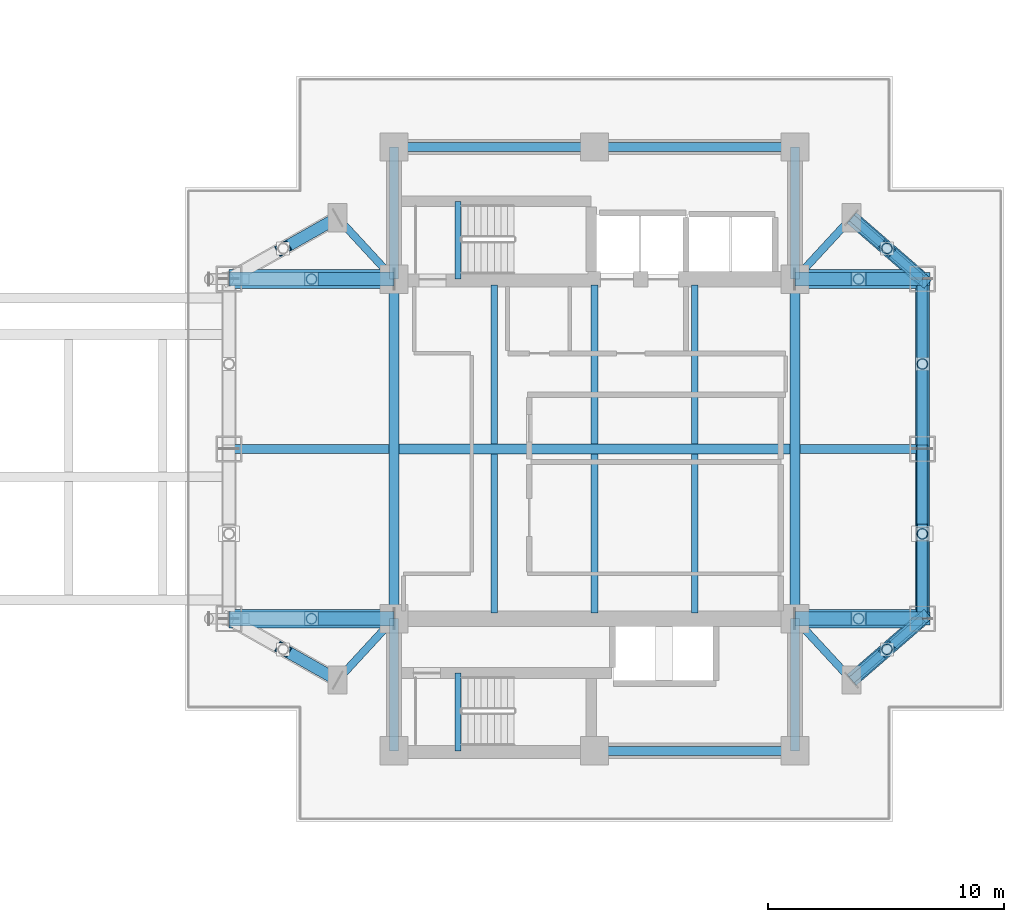
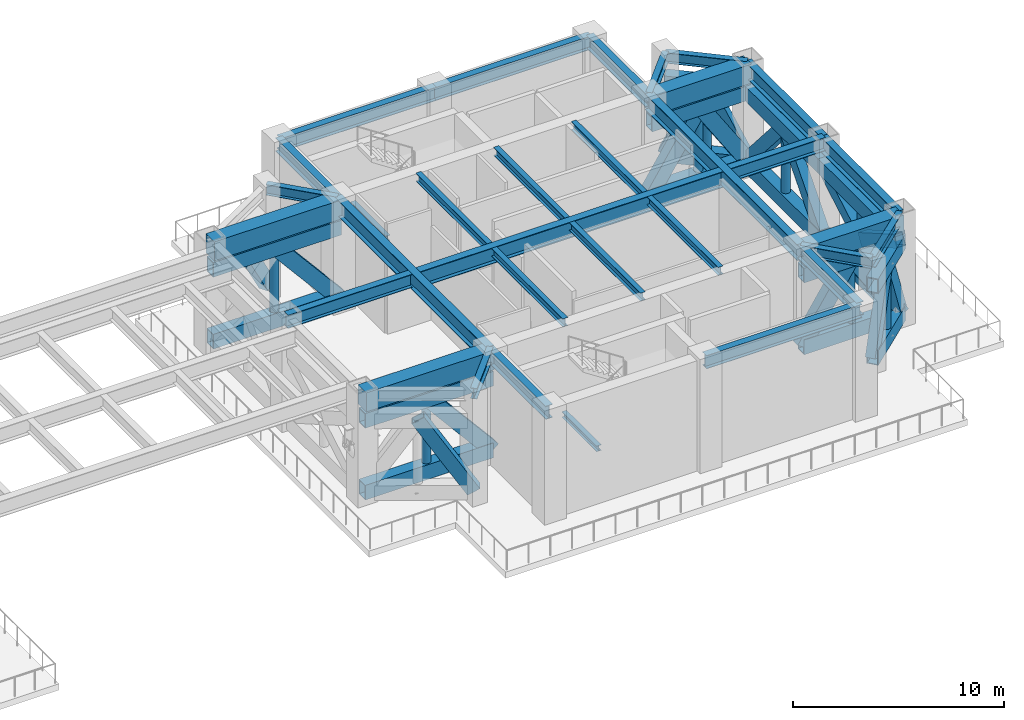
# One storey, part 5 of 21: 41 members, 32 beams.
"""IFC4 building model written with IfcOpenShell, lengths in metres."""

from ifc_helpers import new_model, si_unit, direction, frame, origin, origin_2d, place, context, subcontext, project, spatial, rectangle, hollow_rectangle, hollow_circle, i_section, extrude, material, material_profile, profile_set, type_object, element, save


model = new_model("IFC4")

# Units and contexts
model_context = context("Model", 3, precision=1e-05, world=origin(), true_north=direction((0.0, 1.0)))
body_context = subcontext(model_context, "Body", "Model", "MODEL_VIEW")
ifc_project = project(units=[si_unit("LENGTHUNIT", "METRE"), si_unit("AREAUNIT", "SQUARE_METRE"), si_unit("VOLUMEUNIT", "CUBIC_METRE"), si_unit("PLANEANGLEUNIT", "RADIAN"), si_unit("MASSUNIT", "GRAM", prefix="KILO")], contexts=[model_context])

# Site, building, storey
site_placement = place(None, origin())
site = spatial("IfcSite", under=ifc_project, at=site_placement, CompositionType="ELEMENT")
building_placement = place(site_placement, origin())
building = spatial("IfcBuilding", under=site, at=building_placement, Name="Mirazonda Arch Towers", CompositionType="ELEMENT")
storey_placement = place(building_placement, frame((0.0, 0.0, 81.800048828125)))
storey = spatial("IfcBuildingStorey", under=building, at=storey_placement, Name="L23", CompositionType="ELEMENT", Elevation=81.800048828125)

# Beams
ifc_material_1 = material(Name="Steel ASTM A992 Grade 50", Category="steel")
ifc_material_profile_1 = material_profile(ifc_material_1, i_section(OverallWidth=0.39990234375, OverallDepth=0.85595703125, WebThickness=0.018310546875, FlangeThickness=0.029296875, at=origin_2d()), Name="W33X201")
ifc_profile_set_1 = profile_set([ifc_material_profile_1], Name="Steel ASTM A992 Grade 50")
beam_type_1 = type_object("IfcBeamType", Name="BM-EXT-W33X201", PredefinedType="USERDEFINED", material=ifc_profile_set_1)
for number, where, z_axis, x_axis, name in (
    (1, (90.39990234375, 20.800048828125, 5.951904296875), (0.0, 1.0, 0.0), (-1.0, 0.0, 0.0), "L23 Floor Beam BM-T2-L23-NS-E-20"),
    (2, (90.39990234375, 28.0, 5.951904296875), (0.0, 1.0, 0.0), (-1.0, 0.0, 0.0), "L23 Floor Beam BM-T2-L23-NS-E-28"),
):
    element("IfcBeam", number, at=place(storey_placement, frame(where, z_axis=z_axis, x_axis=x_axis)), inside=storey, type_object=beam_type_1, Name=name, ObjectType="GIRDER", PredefinedType="USERDEFINED", context=body_context, shape_type="SweptSolid", body=[
        extrude(i_section(OverallWidth=0.39990234375, OverallDepth=0.85595703125, WebThickness=0.018310546875, FlangeThickness=0.029296875, at=origin_2d()), origin(), (0.0, 0.0, 1.0), 7.199951171875),
    ])
ifc_material_profile_2 = material_profile(ifc_material_1, i_section(OverallWidth=0.257080078125, OverallDepth=0.330078125, WebThickness=0.011962890625, FlangeThickness=0.01953125, at=origin_2d()), Name="W10X68")
ifc_profile_set_2 = profile_set([ifc_material_profile_2], Name="Steel ASTM A992 Grade 50")
beam_type_2 = type_object("IfcBeamType", Name="BM-INT-W10X68", PredefinedType="BEAM", material=ifc_profile_set_2)
for number, where, z_axis, x_axis, name in (
    (3, (70.719970703125, 35.199951171875, 2.93505859375), (0.0, 1.0, 0.0), (-1.0, 0.0, 0.0), "L23 ST-T2N Landing Trimmer Beam"),
    (4, (70.719970703125, 15.199951171875, 2.93505859375), (0.0, 1.0, 0.0), (-1.0, 0.0, 0.0), "L23 ST-T2S Landing Trimmer Beam"),
):
    element("IfcBeam", number, at=place(storey_placement, frame(where, z_axis=z_axis, x_axis=x_axis)), inside=storey, type_object=beam_type_2, Name=name, PredefinedType="BEAM", context=body_context, shape_type="SweptSolid", body=[
        extrude(i_section(OverallWidth=0.257080078125, OverallDepth=0.330078125, WebThickness=0.011962890625, FlangeThickness=0.01953125, at=origin_2d()), origin(), (0.0, 0.0, 1.0), 3.300048828125),
    ])
ifc_material_profile_3 = material_profile(ifc_material_1, i_section(OverallWidth=0.280029296875, OverallDepth=0.462890625, WebThickness=0.0107421875, FlangeThickness=0.017333984375, at=origin_2d()), Name="W18X76")
ifc_profile_set_3 = profile_set([ifc_material_profile_3], Name="Steel ASTM A992 Grade 50")
beam_type_3 = type_object("IfcBeamType", Name="BM-INT-W18X76", PredefinedType="JOIST", material=ifc_profile_set_3)
for number, where, z_axis, x_axis, name in (
    (5, (72.25, 21.0400390625, 6.1484375), (0.0, 1.0, 0.0), (-1.0, 0.0, 0.0), "L23 Floor Beam BM-T2-L23-J-722-20"),
    (6, (72.25, 28.205078125, 6.1484375), (0.0, 1.0, 0.0), (-1.0, 0.0, 0.0), "L23 Floor Beam BM-T2-L23-J-722-28"),
    (7, (76.5, 21.0400390625, 6.1484375), (0.0, 1.0, 0.0), (-1.0, 0.0, 0.0), "L23 Floor Beam BM-T2-L23-J-765-20"),
    (8, (76.5, 28.205078125, 6.1484375), (0.0, 1.0, 0.0), (-1.0, 0.0, 0.0), "L23 Floor Beam BM-T2-L23-J-765-28"),
    (9, (80.75, 21.0400390625, 6.1484375), (0.0, 1.0, 0.0), (-1.0, 0.0, 0.0), "L23 Floor Beam BM-T2-L23-J-807-20"),
    (10, (80.75, 28.205078125, 6.1484375), (0.0, 1.0, 0.0), (-1.0, 0.0, 0.0), "L23 Floor Beam BM-T2-L23-J-807-28"),
):
    element("IfcBeam", number, at=place(storey_placement, frame(where, z_axis=z_axis, x_axis=x_axis)), inside=storey, type_object=beam_type_3, Name=name, PredefinedType="JOIST", context=body_context, shape_type="SweptSolid", body=[
        extrude(i_section(OverallWidth=0.280029296875, OverallDepth=0.462890625, WebThickness=0.0107421875, FlangeThickness=0.017333984375, at=origin_2d()), origin(), (0.0, 0.0, 1.0), 6.7548828125),
    ])
ifc_material_profile_4 = material_profile(ifc_material_1, i_section(OverallWidth=0.324951171875, OverallDepth=0.615966796875, WebThickness=0.013916015625, FlangeThickness=0.021484375, at=origin_2d()), Name="W24X117")
ifc_profile_set_4 = profile_set([ifc_material_profile_4], Name="Steel ASTM A992 Grade 50")
beam_type_4 = type_object("IfcBeamType", Name="BM-INT-W24X117", PredefinedType="BEAM", material=ifc_profile_set_4)
for number, where, z_axis, x_axis, name in (
    (11, (65.60009765625, 18.199951171875, 6.072021484375), (0.678251444854, 0.734829897019, 0.0), (-0.734829897019, 0.678251444854, 0.0), "L23 Floor Beam BM-T2-L23-PL-SW1"),
    (12, (87.39990234375, 18.199951171875, 6.072021484375), (-0.678251444854, 0.734829897019, 0.0), (-0.734829897019, -0.678251444854, 0.0), "L23 Floor Beam BM-T2-L23-PL-SE1"),
):
    element("IfcBeam", number, at=place(storey_placement, frame(where, z_axis=z_axis, x_axis=x_axis)), inside=storey, type_object=beam_type_4, Name=name, PredefinedType="BEAM", context=body_context, shape_type="SweptSolid", body=[
        extrude(i_section(OverallWidth=0.324951171875, OverallDepth=0.615966796875, WebThickness=0.013916015625, FlangeThickness=0.021484375, at=origin_2d()), origin(), (0.0, 0.0, 1.0), 3.538330078125),
    ])
beam_1_placement = place(storey_placement, frame((87.39990234375, 18.199951171875, 6.072021484375), z_axis=(0.755676908098, 0.654944585876, 0.0), x_axis=(-0.654944585876, 0.755676908098, 0.0)))
element("IfcBeam", 13, at=beam_1_placement, inside=storey, type_object=beam_type_4, Name="L23 Floor Beam BM-T2-L23-PL-SE2", PredefinedType="BEAM", context=body_context, shape_type="SweptSolid", body=[
    extrude(i_section(OverallWidth=0.324951171875, OverallDepth=0.615966796875, WebThickness=0.013916015625, FlangeThickness=0.021484375, at=origin_2d()), origin(), (0.0, 0.0, 1.0), 3.969970703125),
])
for number, where, z_axis, x_axis, name in (
    (14, (65.60009765625, 37.800048828125, 6.072021484375), (0.678251444854, -0.734829897019, 0.0), (0.734829897019, 0.678251444854, 0.0), "L23 Floor Beam BM-T2-L23-PL-NW1"),
    (15, (87.39990234375, 37.800048828125, 6.072021484375), (-0.678251444854, -0.734829897019, 0.0), (0.734829897019, -0.678251444854, 0.0), "L23 Floor Beam BM-T2-L23-PL-NE1"),
):
    element("IfcBeam", number, at=place(storey_placement, frame(where, z_axis=z_axis, x_axis=x_axis)), inside=storey, type_object=beam_type_4, Name=name, PredefinedType="BEAM", context=body_context, shape_type="SweptSolid", body=[
        extrude(i_section(OverallWidth=0.324951171875, OverallDepth=0.615966796875, WebThickness=0.013916015625, FlangeThickness=0.021484375, at=origin_2d()), origin(), (0.0, 0.0, 1.0), 3.538330078125),
    ])
beam_2_placement = place(storey_placement, frame((87.39990234375, 37.800048828125, 6.072021484375), z_axis=(0.755676908098, -0.654944585876, 0.0), x_axis=(0.654944585876, 0.755676908098, 0.0)))
element("IfcBeam", 16, at=beam_2_placement, inside=storey, type_object=beam_type_4, Name="L23 Floor Beam BM-T2-L23-PL-NE2", PredefinedType="BEAM", context=body_context, shape_type="SweptSolid", body=[
    extrude(i_section(OverallWidth=0.324951171875, OverallDepth=0.615966796875, WebThickness=0.013916015625, FlangeThickness=0.021484375, at=origin_2d()), origin(), (0.0, 0.0, 1.0), 3.969970703125),
])
ifc_material_profile_5 = material_profile(ifc_material_1, i_section(OverallWidth=0.381103515625, OverallDepth=0.77294921875, WebThickness=0.0166015625, FlangeThickness=0.027099609375, at=origin_2d()), Name="W30X173")
ifc_profile_set_5 = profile_set([ifc_material_profile_5], Name="Steel ASTM A992 Grade 50")
beam_type_5 = type_object("IfcBeamType", Name="BM-INT-W30X173", PredefinedType="USERDEFINED", material=ifc_profile_set_5)
for number, where, z_axis, x_axis, name in (
    (17, (76.5, 15.199951171875, 5.993408203125), (1.0, 0.0, 0.0), (0.0, 1.0, 0.0), "L23 Floor Beam BM-T2-L23-CS2"),
    (18, (68.0, 40.800048828125, 5.993408203125), (1.0, 0.0, 0.0), (0.0, 1.0, 0.0), "L23 Floor Beam BM-T2-L23-CN1"),
    (19, (76.5, 40.800048828125, 5.993408203125), (1.0, 0.0, 0.0), (0.0, 1.0, 0.0), "L23 Floor Beam BM-T2-L23-CN2"),
):
    element("IfcBeam", number, at=place(storey_placement, frame(where, z_axis=z_axis, x_axis=x_axis)), inside=storey, type_object=beam_type_5, Name=name, ObjectType="GIRDER", PredefinedType="USERDEFINED", context=body_context, shape_type="SweptSolid", body=[
        extrude(i_section(OverallWidth=0.381103515625, OverallDepth=0.77294921875, WebThickness=0.0166015625, FlangeThickness=0.027099609375, at=origin_2d()), origin(), (0.0, 0.0, 1.0), 8.5),
    ])
for number, where, z_axis, x_axis, name in (
    (20, (68.0, 15.199951171875, 5.993408203125), (0.0, 1.0, 0.0), (-1.0, 0.0, 0.0), "L23 Floor Beam BM-T2-L23-CSW"),
    (21, (85.0, 15.199951171875, 5.993408203125), (0.0, 1.0, 0.0), (-1.0, 0.0, 0.0), "L23 Floor Beam BM-T2-L23-CSE"),
    (22, (68.0, 35.199951171875, 5.993408203125), (0.0, 1.0, 0.0), (-1.0, 0.0, 0.0), "L23 Floor Beam BM-T2-L23-CNW"),
    (23, (85.0, 35.199951171875, 5.993408203125), (0.0, 1.0, 0.0), (-1.0, 0.0, 0.0), "L23 Floor Beam BM-T2-L23-CNE"),
):
    element("IfcBeam", number, at=place(storey_placement, frame(where, z_axis=z_axis, x_axis=x_axis)), inside=storey, type_object=beam_type_5, Name=name, ObjectType="GIRDER", PredefinedType="USERDEFINED", context=body_context, shape_type="SweptSolid", body=[
        extrude(i_section(OverallWidth=0.381103515625, OverallDepth=0.77294921875, WebThickness=0.0166015625, FlangeThickness=0.027099609375, at=origin_2d()), origin(), (0.0, 0.0, 1.0), 5.60009765625),
    ])
beam_3_placement = place(storey_placement, frame((61.0, 28.0, 5.993408203125), z_axis=(1.0, 0.0, 0.0), x_axis=(0.0, 1.0, 0.0)))
element("IfcBeam", 24, at=beam_3_placement, inside=storey, type_object=beam_type_5, Name="L23 Floor Beam BM-T2-L23-GW2", ObjectType="GIRDER", PredefinedType="USERDEFINED", context=body_context, shape_type="SweptSolid", body=[
    extrude(i_section(OverallWidth=0.381103515625, OverallDepth=0.77294921875, WebThickness=0.0166015625, FlangeThickness=0.027099609375, at=origin_2d()), origin(), (0.0, 0.0, 1.0), 6.791015625),
])
beam_4_placement = place(storey_placement, frame((85.208984375, 28.0, 5.993408203125), z_axis=(1.0, 0.0, 0.0), x_axis=(0.0, 1.0, 0.0)))
element("IfcBeam", 25, at=beam_4_placement, inside=storey, type_object=beam_type_5, Name="L23 Floor Beam BM-T2-L23-GE2", ObjectType="GIRDER", PredefinedType="USERDEFINED", context=body_context, shape_type="SweptSolid", body=[
    extrude(i_section(OverallWidth=0.381103515625, OverallDepth=0.77294921875, WebThickness=0.0166015625, FlangeThickness=0.027099609375, at=origin_2d()), origin(), (0.0, 0.0, 1.0), 5.19091796875),
])
ifc_material_profile_6 = material_profile(ifc_material_1, i_section(OverallWidth=0.41796875, OverallDepth=0.927001953125, WebThickness=0.019287109375, FlangeThickness=0.031982421875, at=origin_2d()), Name="W36X231")
ifc_profile_set_6 = profile_set([ifc_material_profile_6], Name="Steel ASTM A992 Grade 50")
beam_type_6 = type_object("IfcBeamType", Name="BM-INT-W36X231", PredefinedType="USERDEFINED", material=ifc_profile_set_6)
beam_5_placement = place(storey_placement, frame((68.208984375, 28.0, 5.91650390625), z_axis=(1.0, 0.0, 0.0), x_axis=(0.0, 1.0, 0.0)))
element("IfcBeam", 26, at=beam_5_placement, inside=storey, type_object=beam_type_6, Name="L23 Floor Beam BM-T2-L23-GC2", ObjectType="GIRDER", PredefinedType="USERDEFINED", context=body_context, shape_type="SweptSolid", body=[
    extrude(i_section(OverallWidth=0.41796875, OverallDepth=0.927001953125, WebThickness=0.019287109375, FlangeThickness=0.031982421875, at=origin_2d()), origin(), (0.0, 0.0, 1.0), 16.58203125),
])
for number, where, z_axis, x_axis, name in (
    (27, (68.0, 20.800048828125, 5.91650390625), (0.0, 1.0, 0.0), (-1.0, 0.0, 0.0), "L23 Floor Beam BM-T2-L23-NS-CW-FULL"),
    (28, (85.0, 20.800048828125, 5.91650390625), (0.0, 1.0, 0.0), (-1.0, 0.0, 0.0), "L23 Floor Beam BM-T2-L23-NS-CE-FULL"),
):
    element("IfcBeam", number, at=place(storey_placement, frame(where, z_axis=z_axis, x_axis=x_axis)), inside=storey, type_object=beam_type_6, Name=name, ObjectType="GIRDER", PredefinedType="USERDEFINED", context=body_context, shape_type="SweptSolid", body=[
        extrude(i_section(OverallWidth=0.41796875, OverallDepth=0.927001953125, WebThickness=0.019287109375, FlangeThickness=0.031982421875, at=origin_2d()), origin(), (0.0, 0.0, 1.0), 14.39990234375),
    ])
ifc_material_2 = material(Name="Concrete C60/75", Category="concrete")
ifc_material_profile_7 = material_profile(ifc_material_2, rectangle(XDim=0.800048828125, YDim=1.10009765625, at=origin_2d()), Name="RCCB800x1100")
ifc_profile_set_7 = profile_set([ifc_material_profile_7], Name="Concrete C60/75")
beam_type_7 = type_object("IfcBeamType", Name="CB-INT-RCCB800x1100", PredefinedType="SPANDREL", material=ifc_profile_set_7)
beam_6_placement = place(storey_placement, frame((61.0, 35.199951171875, 5.829833984375), z_axis=(1.0, 0.0, 0.0), x_axis=(0.0, 1.0, 0.0)))
element("IfcBeam", 29, at=beam_6_placement, inside=storey, type_object=beam_type_7, Name="L23 Floor Beam CB-T2-L23-NW", PredefinedType="SPANDREL", context=body_context, shape_type="SweptSolid", body=[
    extrude(rectangle(XDim=0.800048828125, YDim=1.10009765625, at=origin_2d()), origin(), (0.0, 0.0, 1.0), 7.0),
])
beam_7_placement = place(storey_placement, frame((85.0, 35.199951171875, 5.829833984375), z_axis=(1.0, 0.0, 0.0), x_axis=(0.0, 1.0, 0.0)))
element("IfcBeam", 30, at=beam_7_placement, inside=storey, type_object=beam_type_7, Name="L23 Floor Beam CB-T2-L23-NE", PredefinedType="SPANDREL", context=body_context, shape_type="SweptSolid", body=[
    extrude(rectangle(XDim=0.800048828125, YDim=1.10009765625, at=origin_2d()), origin(), (0.0, 0.0, 1.0), 5.39990234375),
])
beam_8_placement = place(storey_placement, frame((61.0, 20.800048828125, 5.829833984375), z_axis=(1.0, 0.0, 0.0), x_axis=(0.0, 1.0, 0.0)))
element("IfcBeam", 31, at=beam_8_placement, inside=storey, type_object=beam_type_7, Name="L23 Floor Beam CB-T2-L23-SW", PredefinedType="SPANDREL", context=body_context, shape_type="SweptSolid", body=[
    extrude(rectangle(XDim=0.800048828125, YDim=1.10009765625, at=origin_2d()), origin(), (0.0, 0.0, 1.0), 7.0),
])
beam_9_placement = place(storey_placement, frame((85.0, 20.800048828125, 5.829833984375), z_axis=(1.0, 0.0, 0.0), x_axis=(0.0, 1.0, 0.0)))
element("IfcBeam", 32, at=beam_9_placement, inside=storey, type_object=beam_type_7, Name="L23 Floor Beam CB-T2-L23-SE", PredefinedType="SPANDREL", context=body_context, shape_type="SweptSolid", body=[
    extrude(rectangle(XDim=0.800048828125, YDim=1.10009765625, at=origin_2d()), origin(), (0.0, 0.0, 1.0), 5.39990234375),
])

# Members
ifc_material_3 = material(Name="Steel ASTM A572 Grade 50", Category="steel")
ifc_material_profile_8 = material_profile(ifc_material_3, hollow_rectangle(XDim=0.60009765625, YDim=0.85009765625, WallThickness=0.048095703125, at=origin_2d()), Name="BELTCHORD850x600x48")
ifc_profile_set_8 = profile_set([ifc_material_profile_8], Name="Steel ASTM A572 Grade 50")
member_type_1 = type_object("IfcMemberType", Name="MBR-EXT-BELTCHORD850x600x48", PredefinedType="CHORD", material=ifc_profile_set_8)
for number, where, z_axis, x_axis, name in (
    (33, (90.39990234375, 20.800048828125, 0.550048828125), (0.0, 1.0, 0.0), (-1.0, 0.0, 0.0), "L23 T2 Wind-Portal Belt Chord BC03"),
    (34, (90.39990234375, 20.800048828125, 4.699951171875), (0.0, 1.0, 0.0), (-1.0, 0.0, 0.0), "L23 T2 Wind-Portal Belt Chord TC03"),
    (35, (90.39990234375, 28.0, 0.550048828125), (0.0, 1.0, 0.0), (-1.0, 0.0, 0.0), "L23 T2 Wind-Portal Belt Chord BC04"),
    (36, (90.39990234375, 28.0, 4.699951171875), (0.0, 1.0, 0.0), (-1.0, 0.0, 0.0), "L23 T2 Wind-Portal Belt Chord TC04"),
):
    element("IfcMember", number, at=place(storey_placement, frame(where, z_axis=z_axis, x_axis=x_axis)), inside=storey, type_object=member_type_1, Name=name, PredefinedType="CHORD", context=body_context, shape_type="SweptSolid", body=[
        extrude(hollow_rectangle(XDim=0.60009765625, YDim=0.85009765625, WallThickness=0.048095703125, at=origin_2d()), origin(), (0.0, 0.0, 1.0), 7.199951171875),
    ])
for number, where, z_axis, x_axis, name in (
    (37, (87.39990234375, 18.199951171875, 0.550048828125), (0.755676908098, 0.654944585876, 0.0), (-0.654944585876, 0.755676908098, 0.0), "L23 T2 Wind-Portal Belt Chord BC06"),
    (38, (87.39990234375, 18.199951171875, 4.699951171875), (0.755676908098, 0.654944585876, 0.0), (-0.654944585876, 0.755676908098, 0.0), "L23 T2 Wind-Portal Belt Chord TC06"),
    (39, (87.39990234375, 37.800048828125, 0.550048828125), (0.755676908098, -0.654944585876, 0.0), (0.654944585876, 0.755676908098, 0.0), "L23 T2 Wind-Portal Belt Chord BC08"),
    (40, (87.39990234375, 37.800048828125, 4.699951171875), (0.755676908098, -0.654944585876, 0.0), (0.654944585876, 0.755676908098, 0.0), "L23 T2 Wind-Portal Belt Chord TC08"),
):
    element("IfcMember", number, at=place(storey_placement, frame(where, z_axis=z_axis, x_axis=x_axis)), inside=storey, type_object=member_type_1, Name=name, PredefinedType="CHORD", context=body_context, shape_type="SweptSolid", body=[
        extrude(hollow_rectangle(XDim=0.60009765625, YDim=0.85009765625, WallThickness=0.048095703125, at=origin_2d()), origin(), (0.0, 0.0, 1.0), 3.969970703125),
    ])
ifc_material_profile_9 = material_profile(ifc_material_3, hollow_rectangle(XDim=0.5, YDim=0.699951171875, WallThickness=0.0400390625, at=origin_2d()), Name="BELTDIAG700x500x40")
ifc_profile_set_9 = profile_set([ifc_material_profile_9], Name="Steel ASTM A572 Grade 50")
member_type_2 = type_object("IfcMemberType", Name="MBR-EXT-BELTDIAG700x500x40", PredefinedType="BRACE", material=ifc_profile_set_9)
member_1_placement = place(storey_placement, frame((90.39990234375, 20.800048828125, 0.550048828125), z_axis=(0.0, 0.866389465072, 0.499368896521), x_axis=(-1.0, 0.0, 0.0)))
element("IfcMember", 41, at=member_1_placement, inside=storey, type_object=member_type_2, Name="L23 T2 Continuous X-Brace Diagonal 03", PredefinedType="BRACE", context=body_context, shape_type="SweptSolid", body=[
    extrude(hollow_rectangle(XDim=0.5, YDim=0.699951171875, WallThickness=0.0400390625, at=origin_2d()), origin(), (0.0, 0.0, 1.0), 8.310302734375),
])
for number, where, z_axis, x_axis, name in (
    (42, (90.39990234375, 28.0, 0.550048828125), (0.0, -0.86639947471, 0.499351529709), (1.0, 0.0, 0.0), "L23 T2 Split X-Brace Lower Segment 03"),
    (43, (90.39990234375, 24.157470703125, 2.7646484375), (0.0, -0.86637221735, 0.499398819585), (1.0, 0.0, 0.0), "L23 T2 Split X-Brace Upper Segment 03"),
):
    element("IfcMember", number, at=place(storey_placement, frame(where, z_axis=z_axis, x_axis=x_axis)), inside=storey, type_object=member_type_2, Name=name, PredefinedType="BRACE", context=body_context, shape_type="SweptSolid", body=[
        extrude(hollow_rectangle(XDim=0.5, YDim=0.699951171875, WallThickness=0.0400390625, at=origin_2d()), origin(), (0.0, 0.0, 1.0), 3.875244140625),
    ])
member_2_placement = place(storey_placement, frame((90.39990234375, 28.0, 0.550048828125), z_axis=(0.0, 0.655295898412, 0.755372282735), x_axis=(-1.0, 0.0, 0.0)))
element("IfcMember", 44, at=member_2_placement, inside=storey, type_object=member_type_2, Name="L23 T2 Wind-Portal Belt Diagonal 04A", PredefinedType="BRACE", context=body_context, shape_type="SweptSolid", body=[
    extrude(hollow_rectangle(XDim=0.5, YDim=0.699951171875, WallThickness=0.0400390625, at=origin_2d()), origin(), (0.0, 0.0, 1.0), 5.493896484375),
])
member_3_placement = place(storey_placement, frame((90.39990234375, 35.199951171875, 0.550048828125), z_axis=(0.0, -0.655270541038, 0.755394279862), x_axis=(1.0, 0.0, 0.0)))
element("IfcMember", 45, at=member_3_placement, inside=storey, type_object=member_type_2, Name="L23 T2 Wind-Portal Belt Diagonal 04B", PredefinedType="BRACE", context=body_context, shape_type="SweptSolid", body=[
    extrude(hollow_rectangle(XDim=0.5, YDim=0.699951171875, WallThickness=0.0400390625, at=origin_2d()), origin(), (0.0, 0.0, 1.0), 5.49365234375),
])
member_4_placement = place(storey_placement, frame((65.60009765625, 18.199951171875, 0.550048828125), z_axis=(-0.467531696518, 0.26426136121, 0.84355204091), x_axis=(-0.492063346467, -0.870559396632, 0.0)))
element("IfcMember", 46, at=member_4_placement, inside=storey, type_object=member_type_2, Name="L23 T2 Wind-Portal Belt Diagonal 05B", PredefinedType="BRACE", context=body_context, shape_type="SweptSolid", body=[
    extrude(hollow_rectangle(XDim=0.5, YDim=0.699951171875, WallThickness=0.0400390625, at=origin_2d()), origin(), (0.0, 0.0, 1.0), 4.919677734375),
])
for number, where, z_axis, x_axis, name in (
    (47, (87.39990234375, 18.199951171875, 0.550048828125), (0.326072961433, 0.28260718093, 0.90211396459), (-0.654944585876, 0.755676908098, 0.0), "L23 T2 Wind-Portal Belt Diagonal 06A"),
    (48, (90.39990234375, 20.800048828125, 0.550048828125), (-0.326072961433, -0.28260718093, 0.90211396459), (0.654944585876, -0.755676908098, 0.0), "L23 T2 Wind-Portal Belt Diagonal 06B"),
):
    element("IfcMember", number, at=place(storey_placement, frame(where, z_axis=z_axis, x_axis=x_axis)), inside=storey, type_object=member_type_2, Name=name, PredefinedType="BRACE", context=body_context, shape_type="SweptSolid", body=[
        extrude(hollow_rectangle(XDim=0.5, YDim=0.699951171875, WallThickness=0.0400390625, at=origin_2d()), origin(), (0.0, 0.0, 1.0), 4.60009765625),
    ])
member_5_placement = place(storey_placement, frame((65.60009765625, 37.800048828125, 0.550048828125), z_axis=(-0.467531696518, -0.26426136121, 0.84355204091), x_axis=(0.492063346467, -0.870559396632, 0.0)))
element("IfcMember", 49, at=member_5_placement, inside=storey, type_object=member_type_2, Name="L23 T2 Wind-Portal Belt Diagonal 07B", PredefinedType="BRACE", context=body_context, shape_type="SweptSolid", body=[
    extrude(hollow_rectangle(XDim=0.5, YDim=0.699951171875, WallThickness=0.0400390625, at=origin_2d()), origin(), (0.0, 0.0, 1.0), 4.919677734375),
])
for number, where, z_axis, x_axis, name in (
    (50, (87.39990234375, 37.800048828125, 0.550048828125), (0.326072961433, -0.28260718093, 0.90211396459), (0.654944585876, 0.755676908098, 0.0), "L23 T2 Wind-Portal Belt Diagonal 08A"),
    (51, (90.39990234375, 35.199951171875, 0.550048828125), (-0.326072961433, 0.28260718093, 0.90211396459), (-0.654944585876, -0.755676908098, 0.0), "L23 T2 Wind-Portal Belt Diagonal 08B"),
):
    element("IfcMember", number, at=place(storey_placement, frame(where, z_axis=z_axis, x_axis=x_axis)), inside=storey, type_object=member_type_2, Name=name, PredefinedType="BRACE", context=body_context, shape_type="SweptSolid", body=[
        extrude(hollow_rectangle(XDim=0.5, YDim=0.699951171875, WallThickness=0.0400390625, at=origin_2d()), origin(), (0.0, 0.0, 1.0), 4.60009765625),
    ])
ifc_material_profile_10 = material_profile(ifc_material_3, hollow_circle(Radius=0.228515625, WallThickness=0.02197265625, at=origin_2d()), Name="BELTSTRUT457x22CHS")
ifc_profile_set_10 = profile_set([ifc_material_profile_10], Name="Steel ASTM A572 Grade 50")
member_type_3 = type_object("IfcMemberType", Name="MBR-EXT-BELTSTRUT457x22CHS", PredefinedType="STRUT", material=ifc_profile_set_10)
for number, where, z_axis, x_axis, name in (
    (52, (90.39990234375, 24.39990234375, 0.550048828125), (0.0, 0.0, 1.0), (1.0, 0.0, 0.0), "L23 T2 Wind-Portal Belt Strut 03"),
    (53, (90.39990234375, 31.60009765625, 0.550048828125), (0.0, 0.0, 1.0), (1.0, 0.0, 0.0), "L23 T2 Wind-Portal Belt Strut 04"),
    (54, (88.89990234375, 19.5, 0.550048828125), (0.0, 0.0, 1.0), (1.0, 0.0, 0.0), "L23 T2 Wind-Portal Belt Strut 06"),
    (55, (88.89990234375, 36.5, 0.550048828125), (0.0, 0.0, 1.0), (1.0, 0.0, 0.0), "L23 T2 Wind-Portal Belt Strut 08"),
):
    element("IfcMember", number, at=place(storey_placement, frame(where, z_axis=z_axis, x_axis=x_axis)), inside=storey, type_object=member_type_3, Name=name, PredefinedType="STRUT", context=body_context, shape_type="SweptSolid", body=[
        extrude(hollow_circle(Radius=0.228515625, WallThickness=0.02197265625, at=origin_2d()), origin(), (0.0, 0.0, 1.0), 4.14990234375),
    ])
ifc_material_profile_11 = material_profile(ifc_material_3, hollow_rectangle(XDim=0.60009765625, YDim=0.85009765625, WallThickness=0.048095703125, at=origin_2d()), Name="BELTCHORD850x600x48")
ifc_profile_set_11 = profile_set([ifc_material_profile_11], Name="Steel ASTM A572 Grade 50")
member_type_4 = type_object("IfcMemberType", Name="MBR-INT-BELTCHORD850x600x48", PredefinedType="CHORD", material=ifc_profile_set_11)
for number, where, z_axis, x_axis, name in (
    (56, (61.0, 20.800048828125, 0.550048828125), (1.0, 0.0, 0.0), (0.0, 1.0, 0.0), "L23 T2 Core Outrigger Chord BC01"),
    (57, (61.0, 20.800048828125, 4.699951171875), (1.0, 0.0, 0.0), (0.0, 1.0, 0.0), "L23 T2 Core Outrigger Chord TC01"),
):
    element("IfcMember", number, at=place(storey_placement, frame(where, z_axis=z_axis, x_axis=x_axis)), inside=storey, type_object=member_type_4, Name=name, PredefinedType="CHORD", context=body_context, shape_type="SweptSolid", body=[
        extrude(hollow_rectangle(XDim=0.60009765625, YDim=0.85009765625, WallThickness=0.048095703125, at=origin_2d()), origin(), (0.0, 0.0, 1.0), 7.0),
    ])
for number, where, z_axis, x_axis, name in (
    (58, (85.0, 20.800048828125, 0.550048828125), (1.0, 0.0, 0.0), (0.0, 1.0, 0.0), "L23 T2 Core Outrigger Chord BC02"),
    (59, (85.0, 20.800048828125, 4.699951171875), (1.0, 0.0, 0.0), (0.0, 1.0, 0.0), "L23 T2 Core Outrigger Chord TC02"),
):
    element("IfcMember", number, at=place(storey_placement, frame(where, z_axis=z_axis, x_axis=x_axis)), inside=storey, type_object=member_type_4, Name=name, PredefinedType="CHORD", context=body_context, shape_type="SweptSolid", body=[
        extrude(hollow_rectangle(XDim=0.60009765625, YDim=0.85009765625, WallThickness=0.048095703125, at=origin_2d()), origin(), (0.0, 0.0, 1.0), 5.39990234375),
    ])
for number, where, z_axis, x_axis, name in (
    (60, (61.0, 35.199951171875, 0.550048828125), (1.0, 0.0, 0.0), (0.0, 1.0, 0.0), "L23 T2 Core Outrigger Chord BC03"),
    (61, (61.0, 35.199951171875, 4.699951171875), (1.0, 0.0, 0.0), (0.0, 1.0, 0.0), "L23 T2 Core Outrigger Chord TC03"),
):
    element("IfcMember", number, at=place(storey_placement, frame(where, z_axis=z_axis, x_axis=x_axis)), inside=storey, type_object=member_type_4, Name=name, PredefinedType="CHORD", context=body_context, shape_type="SweptSolid", body=[
        extrude(hollow_rectangle(XDim=0.60009765625, YDim=0.85009765625, WallThickness=0.048095703125, at=origin_2d()), origin(), (0.0, 0.0, 1.0), 7.0),
    ])
for number, where, z_axis, x_axis, name in (
    (62, (85.0, 35.199951171875, 0.550048828125), (1.0, 0.0, 0.0), (0.0, 1.0, 0.0), "L23 T2 Core Outrigger Chord BC04"),
    (63, (85.0, 35.199951171875, 4.699951171875), (1.0, 0.0, 0.0), (0.0, 1.0, 0.0), "L23 T2 Core Outrigger Chord TC04"),
):
    element("IfcMember", number, at=place(storey_placement, frame(where, z_axis=z_axis, x_axis=x_axis)), inside=storey, type_object=member_type_4, Name=name, PredefinedType="CHORD", context=body_context, shape_type="SweptSolid", body=[
        extrude(hollow_rectangle(XDim=0.60009765625, YDim=0.85009765625, WallThickness=0.048095703125, at=origin_2d()), origin(), (0.0, 0.0, 1.0), 5.39990234375),
    ])
ifc_material_profile_12 = material_profile(ifc_material_3, hollow_circle(Radius=0.228515625, WallThickness=0.02197265625, at=origin_2d()), Name="BELTSTRUT457x22CHS")
ifc_profile_set_12 = profile_set([ifc_material_profile_12], Name="Steel ASTM A572 Grade 50")
member_type_5 = type_object("IfcMemberType", Name="MBR-INT-BELTSTRUT457x22CHS", PredefinedType="STRUT", material=ifc_profile_set_12)
for number, where, z_axis, x_axis, name in (
    (64, (64.5, 20.800048828125, 0.550048828125), (0.0, 0.0, 1.0), (1.0, 0.0, 0.0), "L23 T2 Core Outrigger Strut 01"),
    (65, (87.699951171875, 20.800048828125, 0.550048828125), (0.0, 0.0, 1.0), (1.0, 0.0, 0.0), "L23 T2 Core Outrigger Strut 02"),
    (66, (64.5, 35.199951171875, 0.550048828125), (0.0, 0.0, 1.0), (1.0, 0.0, 0.0), "L23 T2 Core Outrigger Strut 03"),
    (67, (87.699951171875, 35.199951171875, 0.550048828125), (0.0, 0.0, 1.0), (1.0, 0.0, 0.0), "L23 T2 Core Outrigger Strut 04"),
):
    element("IfcMember", number, at=place(storey_placement, frame(where, z_axis=z_axis, x_axis=x_axis)), inside=storey, type_object=member_type_5, Name=name, PredefinedType="STRUT", context=body_context, shape_type="SweptSolid", body=[
        extrude(hollow_circle(Radius=0.228515625, WallThickness=0.02197265625, at=origin_2d()), origin(), (0.0, 0.0, 1.0), 4.14990234375),
    ])
ifc_material_profile_13 = material_profile(ifc_material_3, hollow_rectangle(XDim=0.550048828125, YDim=0.800048828125, WallThickness=0.044921875, at=origin_2d()), Name="OUTRIGGER800x550x45")
ifc_profile_set_13 = profile_set([ifc_material_profile_13], Name="Steel ASTM A572 Grade 50")
member_type_6 = type_object("IfcMemberType", Name="MBR-INT-OUTRIGGER800x550x45", PredefinedType="BRACE", material=ifc_profile_set_13)
member_6_placement = place(storey_placement, frame((68.0, 20.800048828125, 0.550048828125), z_axis=(-0.644711664983, 0.0, 0.764425842731), x_axis=(0.0, -1.0, 0.0)))
element("IfcMember", 68, at=member_6_placement, inside=storey, type_object=member_type_6, Name="L23 T2 Core Outrigger Diagonal 01B", PredefinedType="BRACE", context=body_context, shape_type="SweptSolid", body=[
    extrude(hollow_rectangle(XDim=0.550048828125, YDim=0.800048828125, WallThickness=0.044921875, at=origin_2d()), origin(), (0.0, 0.0, 1.0), 5.4287109375),
])
for number, where, z_axis, x_axis, name in (
    (69, (85.0, 20.800048828125, 0.550048828125), (0.545345360777, 0.0, 0.838211451532), (0.0, 1.0, 0.0), "L23 T2 Core Outrigger Diagonal 02A"),
    (70, (90.39990234375, 20.800048828125, 0.550048828125), (-0.545345360777, 0.0, 0.838211451532), (0.0, -1.0, 0.0), "L23 T2 Core Outrigger Diagonal 02B"),
):
    element("IfcMember", number, at=place(storey_placement, frame(where, z_axis=z_axis, x_axis=x_axis)), inside=storey, type_object=member_type_6, Name=name, PredefinedType="BRACE", context=body_context, shape_type="SweptSolid", body=[
        extrude(hollow_rectangle(XDim=0.550048828125, YDim=0.800048828125, WallThickness=0.044921875, at=origin_2d()), origin(), (0.0, 0.0, 1.0), 4.950927734375),
    ])
member_7_placement = place(storey_placement, frame((68.0, 35.199951171875, 0.550048828125), z_axis=(-0.644711664983, 0.0, 0.764425842731), x_axis=(0.0, -1.0, 0.0)))
element("IfcMember", 71, at=member_7_placement, inside=storey, type_object=member_type_6, Name="L23 T2 Core Outrigger Diagonal 03B", PredefinedType="BRACE", context=body_context, shape_type="SweptSolid", body=[
    extrude(hollow_rectangle(XDim=0.550048828125, YDim=0.800048828125, WallThickness=0.044921875, at=origin_2d()), origin(), (0.0, 0.0, 1.0), 5.4287109375),
])
for number, where, z_axis, x_axis, name in (
    (72, (85.0, 35.199951171875, 0.550048828125), (0.545345360777, 0.0, 0.838211451532), (0.0, 1.0, 0.0), "L23 T2 Core Outrigger Diagonal 04A"),
    (73, (90.39990234375, 35.199951171875, 0.550048828125), (-0.545345360777, 0.0, 0.838211451532), (0.0, -1.0, 0.0), "L23 T2 Core Outrigger Diagonal 04B"),
):
    element("IfcMember", number, at=place(storey_placement, frame(where, z_axis=z_axis, x_axis=x_axis)), inside=storey, type_object=member_type_6, Name=name, PredefinedType="BRACE", context=body_context, shape_type="SweptSolid", body=[
        extrude(hollow_rectangle(XDim=0.550048828125, YDim=0.800048828125, WallThickness=0.044921875, at=origin_2d()), origin(), (0.0, 0.0, 1.0), 4.950927734375),
    ])

save(model, "model.ifc")
